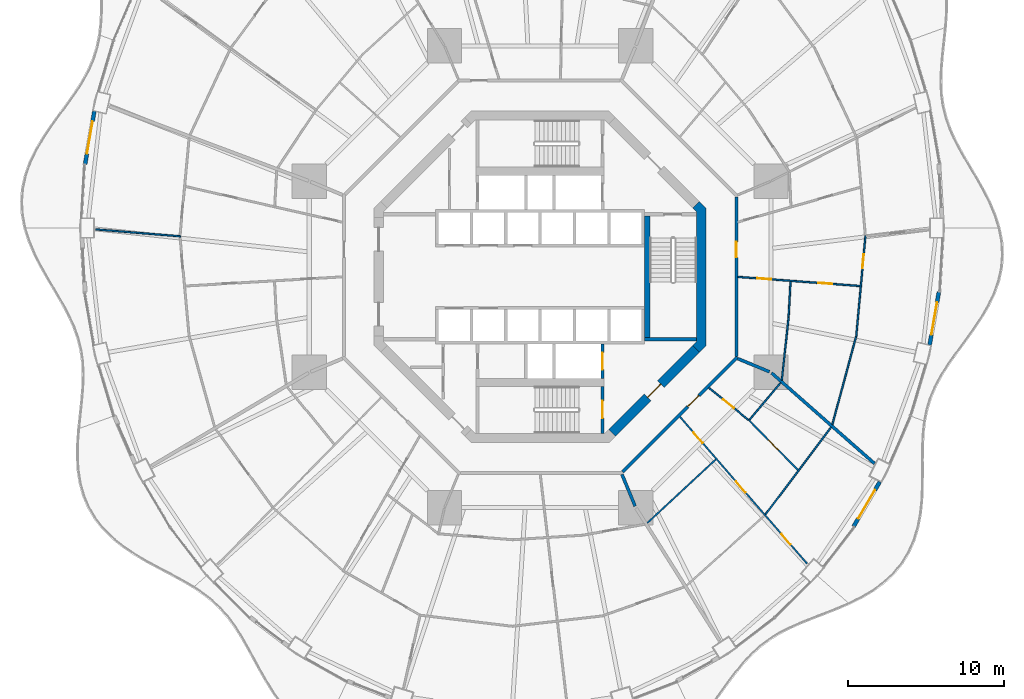
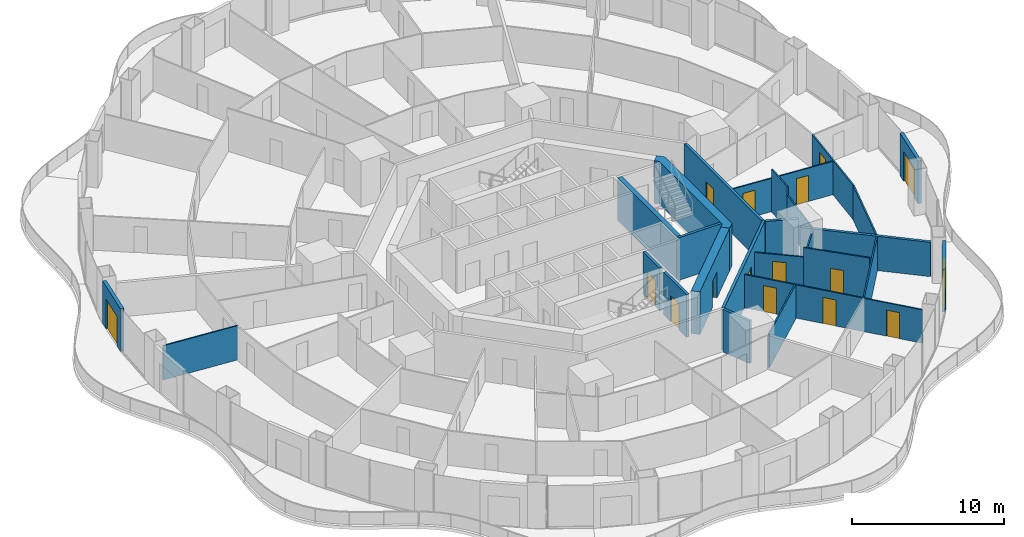
# One storey, part 16 of 22: 26 walls, 16 doors, 16 openings.
"""IFC4 building model written with IfcOpenShell, lengths in metres."""

from ifc_helpers import new_model, si_unit, direction, frame, frame_2d, origin, place, context, subcontext, project, spatial, polyline, rectangle, outline, extrude, material, layer, layer_set, type_object, element, fill, save


model = new_model("IFC4")

# Units and contexts
model_context = context("Model", 3, precision=1e-05, world=origin(), true_north=direction((0.0, 1.0)))
body_context = subcontext(model_context, "Body", "Model", "MODEL_VIEW")
ifc_project = project(units=[si_unit("LENGTHUNIT", "METRE"), si_unit("AREAUNIT", "SQUARE_METRE"), si_unit("VOLUMEUNIT", "CUBIC_METRE"), si_unit("PLANEANGLEUNIT", "RADIAN"), si_unit("MASSUNIT", "GRAM", prefix="KILO")], contexts=[model_context])

# Site, building, storey
site_placement = place(None, origin())
site = spatial("IfcSite", under=ifc_project, at=site_placement, CompositionType="ELEMENT")
building_placement = place(site_placement, origin())
building = spatial("IfcBuilding", under=site, at=building_placement, Name="Nagisa Residences", CompositionType="ELEMENT")
storey_placement = place(building_placement, frame((0.0, 0.0, 88.10009765625)))
storey = spatial("IfcBuildingStorey", under=building, at=storey_placement, Name="L21", CompositionType="ELEMENT", Elevation=88.10009765625)

# Walls
ifc_material_1 = material(Name="Gypsum board on steel studs", Category="steel")
ifc_layer_1 = layer(ifc_material_1, 0.199951171875)
ifc_layer_set_1 = layer_set([ifc_layer_1], Name="Apartment compartment wall EI60 200")
wall_type_1 = type_object("IfcWallType", Name="Apartment compartment wall EI60 200", PredefinedType="PARTITIONING", material=ifc_layer_set_1)
wall_1_placement = place(storey_placement, frame((5.24267578125, -12.6572265625, 0.0), z_axis=(0.0, 0.0, 1.0), x_axis=(0.382747093259, -0.923853160736, 0.0)))
element("IfcWall", 1, at=wall_1_placement, inside=storey, type_object=wall_type_1, Name="wall:L21:u06", PredefinedType="PARTITIONING", context=body_context, shape_type="SweptSolid", body=[
    extrude(rectangle(XDim=2.199951171875, YDim=0.199951171875, at=frame_2d((1.10009765625, 0.0))), origin(), (0.0, 0.0, 1.0), 3.43994140625),
])
wall_2_placement = place(storey_placement, frame((12.6572265625, -5.24267578125, 0.0), z_axis=(0.0, 0.0, 1.0), x_axis=(0.923876145736, -0.382691608661, 0.0)))
element("IfcWall", 2, at=wall_2_placement, inside=storey, type_object=wall_type_1, Name="wall:L21:u08", PredefinedType="PARTITIONING", context=body_context, shape_type="SweptSolid", body=[
    extrude(rectangle(XDim=2.19970703125, YDim=0.199951171875, at=frame_2d((1.099853515625, 0.0))), origin(), (0.0, 0.0, 1.0), 3.43994140625),
])
wall_3_placement = place(storey_placement, frame((14.819580078125, -6.156005859375, 0.0), z_axis=(0.0, 0.0, 1.0), x_axis=(0.750582231659, -0.660777052808, 0.0)))
element("IfcWall", 3, at=wall_3_placement, inside=storey, type_object=wall_type_1, Name="wall:L21:u09", PredefinedType="PARTITIONING", context=body_context, shape_type="SweptSolid", body=[
    extrude(rectangle(XDim=8.781005859375, YDim=0.199951171875, at=frame_2d((4.390625, 0.0))), origin(), (0.0, 0.0, 1.0), 2.761962890625),
])

# Wall, opening, door
ifc_material_2 = material(Name="Gypsum board on steel studs", Category="steel")
ifc_layer_2 = layer(ifc_material_2, 0.199951171875)
ifc_layer_set_2 = layer_set([ifc_layer_2], Name="Apartment entry wall EI60 200")
wall_type_2 = type_object("IfcWallType", Name="Apartment entry wall EI60 200", PredefinedType="PARTITIONING", material=ifc_layer_set_2)
wall_4_placement = place(storey_placement, frame((12.564697265625, -5.1044921875, 0.0), z_axis=(0.0, 0.0, 1.0), x_axis=(0.0, 1.0, 0.0)))
wall_4 = element("IfcWall", 4, at=wall_4_placement, inside=storey, type_object=wall_type_2, Name="wall:L21:u10", PredefinedType="PARTITIONING", context=body_context, shape_type="SweptSolid", body=[
    extrude(rectangle(XDim=10.208984375, YDim=0.199951171875, at=frame_2d((5.1044921875, 0.0))), origin(), (0.0, 0.0, 1.0), 3.43994140625),
])
opening_1_placement = place(wall_4_placement, frame((6.33935546875, 0.0, 0.0)))
opening_1 = element("IfcOpeningElement", 5, at=opening_1_placement, cuts=wall_4, Name="Opening L21-U44", PredefinedType="OPENING", context=body_context, shape_type="SweptSolid", body=[
    extrude(rectangle(XDim=1.0, YDim=2.10009765625, at=frame_2d((0.5, 1.050048828125))), frame((0.0, 0.10986328125, 0.0), z_axis=(0.0, -1.0, 0.0), x_axis=(1.0, 0.0, 0.0)), (0.0, 0.0, 1.0), 0.219970703125),
])
ifc_material_3 = material(Name="Timber fire door set", Category="wood")
door_type_1 = type_object("IfcDoorType", Name="Apartment entry door FD30S 1000x2100", OperationType="NOTDEFINED", PredefinedType="DOOR", material=ifc_material_3)
door_1_placement = place(opening_1_placement, frame((1.0, 0.0, 0.0), x_axis=(-1.0, 0.0, 0.0)))
door_1 = element("IfcDoor", 6, at=door_1_placement, inside=storey, type_object=door_type_1, Name="Entry door, Apartment 21E", OperationType="SINGLE_SWING_LEFT", OverallHeight=2.10009765625, OverallWidth=1.0, PredefinedType="DOOR", context=body_context, shape_type="SweptSolid", body=[
    extrude(rectangle(XDim=1.0, YDim=2.10009765625, at=frame_2d((0.5, 1.050048828125))), frame((0.0, 0.02490234375, 0.0), z_axis=(0.0, -1.0, 0.0), x_axis=(1.0, 0.0, 0.0)), (0.0, 0.0, 1.0), 0.050048828125),
])
fill(opening_1, door_1)

wall_5_placement = place(storey_placement, frame((5.275146484375, -12.494140625, 0.0), z_axis=(0.0, 0.0, 1.0), x_axis=(0.707106781187, 0.707106781187, 0.0)))
wall_5 = element("IfcWall", 7, at=wall_5_placement, inside=storey, type_object=wall_type_2, Name="wall:L21:u17", PredefinedType="PARTITIONING", context=body_context, shape_type="SweptSolid", body=[
    extrude(rectangle(XDim=10.4091796875, YDim=0.199951171875, at=frame_2d((5.20458984375, 0.0))), origin(), (0.0, 0.0, 1.0), 3.43994140625),
])
opening_2_placement = place(wall_5_placement, frame((5.905517578125, 0.0, 0.0)))
opening_2 = element("IfcOpeningElement", 8, at=opening_2_placement, cuts=wall_5, Name="Opening L21-U37", PredefinedType="OPENING", context=body_context, shape_type="SweptSolid", body=[
    extrude(rectangle(XDim=1.0, YDim=2.10009765625, at=frame_2d((0.5, 1.050048828125))), frame((0.0, 0.10986328125, 0.0), z_axis=(0.0, -1.0, 0.0), x_axis=(1.0, 0.0, 0.0)), (0.0, 0.0, 1.0), 0.219970703125),
])
door_2_placement = place(opening_2_placement, frame((1.0, 0.0, 0.0), x_axis=(-1.0, 0.0, 0.0)))
door_2 = element("IfcDoor", 9, at=door_2_placement, inside=storey, type_object=door_type_1, Name="Entry door, Apartment 21D", OperationType="SINGLE_SWING_RIGHT", OverallHeight=2.10009765625, OverallWidth=1.0, PredefinedType="DOOR", context=body_context, shape_type="SweptSolid", body=[
    extrude(rectangle(XDim=1.0, YDim=2.10009765625, at=frame_2d((0.5, 1.050048828125))), frame((0.0, 0.02490234375, 0.0), z_axis=(0.0, -1.0, 0.0), x_axis=(1.0, 0.0, 0.0)), (0.0, 0.0, 1.0), 0.050048828125),
])
fill(opening_2, door_2)

ifc_material_4 = material(Name="Gypsum board on steel studs", Category="steel")
ifc_layer_3 = layer(ifc_material_4, 0.10009765625)
ifc_layer_set_3 = layer_set([ifc_layer_3], Name="Apartment partition 100")
wall_type_3 = type_object("IfcWallType", Name="Apartment partition 100", PredefinedType="PARTITIONING", material=ifc_layer_set_3)
wall_6_placement = place(storey_placement, frame((20.833984375, 2.64208984375, 0.0), z_axis=(0.0, 0.0, 1.0), x_axis=(-0.091385407685, -0.995815599025, 0.0)))
wall_6 = element("IfcWall", 10, at=wall_6_placement, inside=storey, type_object=wall_type_3, Name="wall:L21:u20", PredefinedType="PARTITIONING", context=body_context, shape_type="SweptSolid", body=[
    extrude(rectangle(XDim=6.50244140625, YDim=0.10009765625, at=frame_2d((3.251220703125, 0.0))), origin(), (0.0, 0.0, 1.0), 2.761962890625),
])
opening_3_placement = place(wall_6_placement, frame((1.20068359375, 0.0, 0.0)))
opening_3 = element("IfcOpeningElement", 11, at=opening_3_placement, cuts=wall_6, Name="Opening L21-U49", PredefinedType="OPENING", context=body_context, shape_type="SweptSolid", body=[
    extrude(rectangle(XDim=0.89990234375, YDim=2.10009765625, at=frame_2d((0.449951171875, 1.050048828125))), frame((0.0, 0.06005859375, 0.0), z_axis=(0.0, -1.0, 0.0), x_axis=(1.0, 0.0, 0.0)), (0.0, 0.0, 1.0), 0.1201171875),
])
ifc_material_5 = material(Name="Timber door set", Category="wood")
door_type_2 = type_object("IfcDoorType", Name="Apartment door 900x2100", OperationType="NOTDEFINED", PredefinedType="DOOR", material=ifc_material_5)
door_3_placement = place(opening_3_placement, origin())
door_3 = element("IfcDoor", 12, at=door_3_placement, inside=storey, type_object=door_type_2, Name="Door to family room, Apartment 21E", OperationType="SINGLE_SWING_LEFT", OverallHeight=2.10009765625, OverallWidth=0.89990234375, PredefinedType="DOOR", context=body_context, shape_type="SweptSolid", body=[
    extrude(rectangle(XDim=0.89990234375, YDim=2.10009765625, at=frame_2d((0.449951171875, 1.050048828125))), frame((0.0, 0.02490234375, 0.0), z_axis=(0.0, -1.0, 0.0), x_axis=(1.0, 0.0, 0.0)), (0.0, 0.0, 1.0), 0.050048828125),
])
fill(opening_3, door_3)

# Walls
wall_7_placement = place(storey_placement, frame((-23.01171875, 2.588134765625, 0.0), z_axis=(0.0, 0.0, 1.0), x_axis=(-0.996680765347, 0.081409164031, 0.0)))
element("IfcWall", 13, at=wall_7_placement, inside=storey, type_object=wall_type_3, Name="wall:L21:u59", PredefinedType="PARTITIONING", context=body_context, shape_type="SweptSolid", body=[
    extrude(rectangle(XDim=5.4580078125, YDim=0.10009765625, at=frame_2d((2.72900390625, 0.0))), origin(), (0.0, 0.0, 1.0), 2.761962890625),
])
wall_8_placement = place(storey_placement, frame((6.861083984375, -15.768310546875, 0.0), z_axis=(0.0, 0.0, 1.0), x_axis=(0.733011256509, 0.680216508056, 0.0)))
element("IfcWall", 14, at=wall_8_placement, inside=storey, type_object=wall_type_3, Name="wall:L21:u83", PredefinedType="PARTITIONING", context=body_context, shape_type="SweptSolid", body=[
    extrude(rectangle(XDim=5.988525390625, YDim=0.10009765625, at=frame_2d((2.994140625, 0.0))), origin(), (0.0, 0.0, 1.0), 2.761962890625),
])

# Wall, openings, doors
wall_9_placement = place(storey_placement, frame((8.949951171875, -8.960205078125, 0.0), z_axis=(0.0, 0.0, 1.0), x_axis=(0.65441081073, -0.756139200676, 0.0)))
wall_9 = element("IfcWall", 15, at=wall_9_placement, inside=storey, type_object=wall_type_3, Name="wall:L21:u85", PredefinedType="PARTITIONING", context=body_context, shape_type="SweptSolid", body=[
    extrude(rectangle(XDim=12.450927734375, YDim=0.10009765625, at=frame_2d((6.2255859375, 0.0))), origin(), (0.0, 0.0, 1.0), 2.68701171875),
])
opening_4_placement = place(wall_9_placement, frame((1.335693359375, 0.0, 0.0)))
opening_4 = element("IfcOpeningElement", 16, at=opening_4_placement, cuts=wall_9, Name="Opening L21-U38", PredefinedType="OPENING", context=body_context, shape_type="SweptSolid", body=[
    extrude(rectangle(XDim=0.89990234375, YDim=2.10009765625, at=frame_2d((0.449951171875, 1.050048828125))), frame((0.0, 0.06005859375, 0.0), z_axis=(0.0, -1.0, 0.0), x_axis=(1.0, 0.0, 0.0)), (0.0, 0.0, 1.0), 0.1201171875),
])
opening_5_placement = place(wall_9_placement, frame((5.501220703125, 0.0, 0.0)))
opening_5 = element("IfcOpeningElement", 17, at=opening_5_placement, cuts=wall_9, Name="Opening L21-U40", PredefinedType="OPENING", context=body_context, shape_type="SweptSolid", body=[
    extrude(rectangle(XDim=0.89990234375, YDim=2.10009765625, at=frame_2d((0.449951171875, 1.050048828125))), frame((0.0, 0.06005859375, 0.0), z_axis=(0.0, -1.0, 0.0), x_axis=(1.0, 0.0, 0.0)), (0.0, 0.0, 1.0), 0.1201171875),
])
opening_6_placement = place(wall_9_placement, frame((9.940673828125, 0.0, 0.0)))
opening_6 = element("IfcOpeningElement", 18, at=opening_6_placement, cuts=wall_9, Name="Opening L21-U43", PredefinedType="OPENING", context=body_context, shape_type="SweptSolid", body=[
    extrude(rectangle(XDim=0.89990234375, YDim=2.10009765625, at=frame_2d((0.449951171875, 1.050048828125))), frame((0.0, 0.06005859375, 0.0), z_axis=(0.0, -1.0, 0.0), x_axis=(1.0, 0.0, 0.0)), (0.0, 0.0, 1.0), 0.1201171875),
])
door_4_placement = place(opening_4_placement, frame((0.89990234375, 0.0, 0.0), x_axis=(-1.0, 0.0, 0.0)))
door_4 = element("IfcDoor", 19, at=door_4_placement, inside=storey, type_object=door_type_2, Name="Door to store, Apartment 21D", OperationType="SINGLE_SWING_LEFT", OverallHeight=2.10009765625, OverallWidth=0.89990234375, PredefinedType="DOOR", context=body_context, shape_type="SweptSolid", body=[
    extrude(rectangle(XDim=0.89990234375, YDim=2.10009765625, at=frame_2d((0.449951171875, 1.050048828125))), frame((0.0, 0.02490234375, 0.0), z_axis=(0.0, -1.0, 0.0), x_axis=(1.0, 0.0, 0.0)), (0.0, 0.0, 1.0), 0.050048828125),
])
fill(opening_4, door_4)
door_5_placement = place(opening_5_placement, frame((0.89990234375, 0.0, 0.0), x_axis=(-1.0, 0.0, 0.0)))
door_5 = element("IfcDoor", 20, at=door_5_placement, inside=storey, type_object=door_type_2, Name="Door to kitchen, Apartment 21D", OperationType="SINGLE_SWING_LEFT", OverallHeight=2.10009765625, OverallWidth=0.89990234375, PredefinedType="DOOR", context=body_context, shape_type="SweptSolid", body=[
    extrude(rectangle(XDim=0.89990234375, YDim=2.10009765625, at=frame_2d((0.449951171875, 1.050048828125))), frame((0.0, 0.02490234375, 0.0), z_axis=(0.0, -1.0, 0.0), x_axis=(1.0, 0.0, 0.0)), (0.0, 0.0, 1.0), 0.050048828125),
])
fill(opening_5, door_5)
door_6_placement = place(opening_6_placement, origin())
door_6 = element("IfcDoor", 21, at=door_6_placement, inside=storey, type_object=door_type_2, Name="Door to bedroom, Apartment 21D", OperationType="SINGLE_SWING_LEFT", OverallHeight=2.10009765625, OverallWidth=0.89990234375, PredefinedType="DOOR", context=body_context, shape_type="SweptSolid", body=[
    extrude(rectangle(XDim=0.89990234375, YDim=2.10009765625, at=frame_2d((0.449951171875, 1.050048828125))), frame((0.0, 0.02490234375, 0.0), z_axis=(0.0, -1.0, 0.0), x_axis=(1.0, 0.0, 0.0)), (0.0, 0.0, 1.0), 0.050048828125),
])
fill(opening_6, door_6)

# Wall
wall_10_placement = place(storey_placement, frame((14.431884765625, -15.219482421875, 0.0), z_axis=(0.0, 0.0, 1.0), x_axis=(0.601001256685, 0.799248077548, 0.0)))
element("IfcWall", 22, at=wall_10_placement, inside=storey, type_object=wall_type_3, Name="wall:L21:u86", PredefinedType="PARTITIONING", context=body_context, shape_type="SweptSolid", body=[
    extrude(rectangle(XDim=6.980224609375, YDim=0.10009765625, at=frame_2d((3.490234375, 0.0))), origin(), (0.0, 0.0, 1.0), 2.761962890625),
])

# Wall, opening, door
wall_11_placement = place(storey_placement, frame((10.802490234375, -7.107421875, 0.0), z_axis=(0.0, 0.0, 1.0), x_axis=(0.776992142502, -0.62951029419, 0.0)))
wall_11 = element("IfcWall", 23, at=wall_11_placement, inside=storey, type_object=wall_type_3, Name="wall:L21:u87", PredefinedType="PARTITIONING", context=body_context, shape_type="SweptSolid", body=[
    extrude(rectangle(XDim=3.2626953125, YDim=0.10009765625, at=frame_2d((1.63134765625, 0.0))), origin(), (0.0, 0.0, 1.0), 2.68701171875),
])
opening_7_placement = place(wall_11_placement, frame((1.181396484375, 0.0, 0.0)))
opening_7 = element("IfcOpeningElement", 24, at=opening_7_placement, cuts=wall_11, Name="Opening L21-U39", PredefinedType="OPENING", context=body_context, shape_type="SweptSolid", body=[
    extrude(rectangle(XDim=0.89990234375, YDim=2.10009765625, at=frame_2d((0.449951171875, 1.050048828125))), frame((0.0, 0.06005859375, 0.0), z_axis=(0.0, -1.0, 0.0), x_axis=(1.0, 0.0, 0.0)), (0.0, 0.0, 1.0), 0.1201171875),
])
door_7_placement = place(opening_7_placement, origin())
door_7 = element("IfcDoor", 25, at=door_7_placement, inside=storey, type_object=door_type_2, Name="Door to family bathroom, Apartment 21D", OperationType="SINGLE_SWING_LEFT", OverallHeight=2.10009765625, OverallWidth=0.89990234375, PredefinedType="DOOR", context=body_context, shape_type="SweptSolid", body=[
    extrude(rectangle(XDim=0.89990234375, YDim=2.10009765625, at=frame_2d((0.449951171875, 1.050048828125))), frame((0.0, 0.02490234375, 0.0), z_axis=(0.0, -1.0, 0.0), x_axis=(1.0, 0.0, 0.0)), (0.0, 0.0, 1.0), 0.050048828125),
])
fill(opening_7, door_7)

wall_12_placement = place(storey_placement, frame((13.34130859375, -9.1572265625, 0.0), z_axis=(0.0, 0.0, 1.0), x_axis=(0.701624526877, -0.712546856904, 0.0)))
wall_12 = element("IfcWall", 26, at=wall_12_placement, inside=storey, type_object=wall_type_3, Name="wall:L21:u88", PredefinedType="PARTITIONING", context=body_context, shape_type="SweptSolid", body=[
    extrude(rectangle(XDim=4.51513671875, YDim=0.10009765625, at=frame_2d((2.257568359375, 0.0))), origin(), (0.0, 0.0, 1.0), 3.43994140625),
])
opening_8_placement = place(wall_12_placement, frame((1.83251953125, 0.0, 0.0)))
opening_8 = element("IfcOpeningElement", 27, at=opening_8_placement, cuts=wall_12, Name="Opening L21-U41", PredefinedType="OPENING", context=body_context, shape_type="SweptSolid", body=[
    extrude(rectangle(XDim=0.89990234375, YDim=2.10009765625, at=frame_2d((0.449951171875, 1.050048828125))), frame((0.0, 0.06005859375, 0.0), z_axis=(0.0, -1.0, 0.0), x_axis=(1.0, 0.0, 0.0)), (0.0, 0.0, 1.0), 0.1201171875),
])
door_8_placement = place(opening_8_placement, origin())
door_8 = element("IfcDoor", 28, at=door_8_placement, inside=storey, type_object=door_type_2, Name="Door to family bathroom, Apartment 21D", OperationType="SINGLE_SWING_LEFT", OverallHeight=2.10009765625, OverallWidth=0.89990234375, PredefinedType="DOOR", context=body_context, shape_type="SweptSolid", body=[
    extrude(rectangle(XDim=0.89990234375, YDim=2.10009765625, at=frame_2d((0.449951171875, 1.050048828125))), frame((0.0, 0.02490234375, 0.0), z_axis=(0.0, -1.0, 0.0), x_axis=(1.0, 0.0, 0.0)), (0.0, 0.0, 1.0), 0.050048828125),
])
fill(opening_8, door_8)

# Walls
wall_13_placement = place(storey_placement, frame((13.40869140625, -9.154541015625, 0.0), z_axis=(0.0, 0.0, 1.0), x_axis=(0.646130325831, 0.763227097293, 0.0)))
element("IfcWall", 29, at=wall_13_placement, inside=storey, type_object=wall_type_3, Name="wall:L21:u89", PredefinedType="PARTITIONING", context=body_context, shape_type="SweptSolid", body=[
    extrude(rectangle(XDim=3.083740234375, YDim=0.10009765625, at=frame_2d((1.5419921875, 0.0))), origin(), (0.0, 0.0, 1.0), 2.761962890625),
])
wall_14_placement = place(storey_placement, frame((15.4765625, -6.62548828125, 0.0), z_axis=(0.0, 0.0, 1.0), x_axis=(0.107561928907, 0.994198386365, 0.0)))
element("IfcWall", 30, at=wall_14_placement, inside=storey, type_object=wall_type_3, Name="wall:L21:u90", PredefinedType="PARTITIONING", context=body_context, shape_type="SweptSolid", body=[
    extrude(rectangle(XDim=4.072021484375, YDim=0.10009765625, at=frame_2d((2.0361328125, 0.0))), origin(), (0.0, 0.0, 1.0), 2.761962890625),
])
wall_15_placement = place(storey_placement, frame((18.713134765625, -9.464111328125, 0.0), z_axis=(0.0, 0.0, 1.0), x_axis=(0.260279646259, 0.965533275316, 0.0)))
element("IfcWall", 31, at=wall_15_placement, inside=storey, type_object=wall_type_3, Name="wall:L21:u91", PredefinedType="PARTITIONING", context=body_context, shape_type="SweptSolid", body=[
    extrude(rectangle(XDim=5.83349609375, YDim=0.10009765625, at=frame_2d((2.916748046875, 0.0))), origin(), (0.0, 0.0, 1.0), 2.761962890625),
])
wall_16_placement = place(storey_placement, frame((15.911865234375, -2.5771484375, 0.0), z_axis=(0.0, 0.0, 1.0), x_axis=(0.053749298185, 0.998554461682, 0.0)))
element("IfcWall", 32, at=wall_16_placement, inside=storey, type_object=wall_type_3, Name="wall:L21:u92", PredefinedType="PARTITIONING", context=body_context, shape_type="SweptSolid", body=[
    extrude(rectangle(XDim=2.27099609375, YDim=0.10009765625, at=frame_2d((1.135498046875, 0.0))), origin(), (0.0, 0.0, 1.0), 3.43994140625),
])

# Wall, openings, doors
wall_17_placement = place(storey_placement, frame((12.66455078125, -0.007568359375, 0.0), z_axis=(0.0, 0.0, 1.0), x_axis=(0.997222647159, -0.074478130978, 0.0)))
wall_17 = element("IfcWall", 33, at=wall_17_placement, inside=storey, type_object=wall_type_3, Name="wall:L21:u93", PredefinedType="PARTITIONING", context=body_context, shape_type="SweptSolid", body=[
    extrude(rectangle(XDim=7.84423828125, YDim=0.10009765625, at=frame_2d((3.922119140625, 0.0))), origin(), (0.0, 0.0, 1.0), 2.68701171875),
])
opening_9_placement = place(wall_17_placement, frame((1.24072265625, 0.0, 0.0)))
opening_9 = element("IfcOpeningElement", 34, at=opening_9_placement, cuts=wall_17, Name="Opening L21-U45", PredefinedType="OPENING", context=body_context, shape_type="SweptSolid", body=[
    extrude(rectangle(XDim=0.89990234375, YDim=2.10009765625, at=frame_2d((0.449951171875, 1.050048828125))), frame((0.0, 0.06005859375, 0.0), z_axis=(0.0, -1.0, 0.0), x_axis=(1.0, 0.0, 0.0)), (0.0, 0.0, 1.0), 0.1201171875),
])
opening_10_placement = place(wall_17_placement, frame((5.162841796875, 0.0, 0.0)))
opening_10 = element("IfcOpeningElement", 35, at=opening_10_placement, cuts=wall_17, Name="Opening L21-U47", PredefinedType="OPENING", context=body_context, shape_type="SweptSolid", body=[
    extrude(rectangle(XDim=0.89990234375, YDim=2.10009765625, at=frame_2d((0.449951171875, 1.050048828125))), frame((0.0, 0.06005859375, 0.0), z_axis=(0.0, -1.0, 0.0), x_axis=(1.0, 0.0, 0.0)), (0.0, 0.0, 1.0), 0.1201171875),
])
door_9_placement = place(opening_9_placement, frame((0.89990234375, 0.0, 0.0), x_axis=(-1.0, 0.0, 0.0)))
door_9 = element("IfcDoor", 36, at=door_9_placement, inside=storey, type_object=door_type_2, Name="Door to store, Apartment 21E", OperationType="SINGLE_SWING_RIGHT", OverallHeight=2.10009765625, OverallWidth=0.89990234375, PredefinedType="DOOR", context=body_context, shape_type="SweptSolid", body=[
    extrude(rectangle(XDim=0.89990234375, YDim=2.10009765625, at=frame_2d((0.449951171875, 1.050048828125))), frame((0.0, 0.02490234375, 0.0), z_axis=(0.0, -1.0, 0.0), x_axis=(1.0, 0.0, 0.0)), (0.0, 0.0, 1.0), 0.050048828125),
])
fill(opening_9, door_9)
door_10_placement = place(opening_10_placement, frame((0.89990234375, 0.0, 0.0), x_axis=(-1.0, 0.0, 0.0)))
door_10 = element("IfcDoor", 37, at=door_10_placement, inside=storey, type_object=door_type_2, Name="Door to family room, Apartment 21E", OperationType="SINGLE_SWING_RIGHT", OverallHeight=2.10009765625, OverallWidth=0.89990234375, PredefinedType="DOOR", context=body_context, shape_type="SweptSolid", body=[
    extrude(rectangle(XDim=0.89990234375, YDim=2.10009765625, at=frame_2d((0.449951171875, 1.050048828125))), frame((0.0, 0.02490234375, 0.0), z_axis=(0.0, -1.0, 0.0), x_axis=(1.0, 0.0, 0.0)), (0.0, 0.0, 1.0), 0.050048828125),
])
fill(opening_10, door_10)

# Wall, opening, door
ifc_material_6 = material(Name="Precast concrete C40/50", Category="concrete")
ifc_layer_4 = layer(ifc_material_6, 0.25)
ifc_layer_set_4 = layer_set([ifc_layer_4], Name="BALCONY DOOR WALL 250")
wall_type_4 = type_object("IfcWallType", Name="BALCONY DOOR WALL 250", PredefinedType="SOLIDWALL", material=ifc_layer_set_4)
wall_18_placement = place(storey_placement, frame((-29.135009765625, 7.209716796875, 0.0), z_axis=(0.0, 0.0, 1.0), x_axis=(0.17223289558, 0.985056257114, 0.0)))
wall_18 = element("IfcWall", 38, at=wall_18_placement, inside=storey, type_object=wall_type_4, Name="wall:L21:bay22", PredefinedType="SOLIDWALL", context=body_context, shape_type="SweptSolid", body=[
    extrude(rectangle(XDim=3.454345703125, YDim=0.25, at=frame_2d((1.72705078125, 0.0))), origin(), (0.0, 0.0, 1.0), 3.43994140625),
])
opening_11_placement = place(wall_18_placement, frame((0.67724609375, 0.0, 0.0)))
opening_11 = element("IfcOpeningElement", 39, at=opening_11_placement, cuts=wall_18, Name="Opening BD-L21-08", PredefinedType="OPENING", context=body_context, shape_type="SweptSolid", body=[
    extrude(rectangle(XDim=2.10009765625, YDim=2.39990234375, at=frame_2d((1.050048828125, 1.199951171875))), frame((0.0, 0.135009765625, 0.0), z_axis=(0.0, -1.0, 0.0), x_axis=(1.0, 0.0, 0.0)), (0.0, 0.0, 1.0), 0.27001953125),
])
ifc_material_7 = material(Name="Aluminium and clear glass", Category="aluminium")
door_type_3 = type_object("IfcDoorType", Name="BALCONY SLIDING DOOR 2100x2400", OperationType="SLIDING_TO_LEFT", PredefinedType="DOOR", material=ifc_material_7)
door_11_placement = place(opening_11_placement, origin())
door_11 = element("IfcDoor", 40, at=door_11_placement, inside=storey, type_object=door_type_3, Name="door:L21:bay22", OperationType="SLIDING_TO_LEFT", OverallHeight=2.39990234375, OverallWidth=2.10009765625, PredefinedType="DOOR", context=body_context, shape_type="SweptSolid", body=[
    extrude(rectangle(XDim=2.10009765625, YDim=2.39990234375, at=frame_2d((1.050048828125, 1.199951171875))), frame((0.0, 0.02490234375, 0.0), z_axis=(0.0, -1.0, 0.0), x_axis=(1.0, 0.0, 0.0)), (0.0, 0.0, 1.0), 0.050048828125),
])
fill(opening_11, door_11)

wall_19_placement = place(storey_placement, frame((21.74755859375, -13.136962890625, 0.0), z_axis=(0.0, 0.0, 1.0), x_axis=(-0.506297921217, -0.862358634775, 0.0)))
wall_19 = element("IfcWall", 41, at=wall_19_placement, inside=storey, type_object=wall_type_4, Name="wall:L21:bay43", PredefinedType="SOLIDWALL", context=body_context, shape_type="SweptSolid", body=[
    extrude(rectangle(XDim=3.32470703125, YDim=0.25, at=frame_2d((1.662353515625, 0.0))), origin(), (0.0, 0.0, 1.0), 3.43994140625),
])
opening_12_placement = place(wall_19_placement, frame((0.6123046875, 0.0, 0.0)))
opening_12 = element("IfcOpeningElement", 42, at=opening_12_placement, cuts=wall_19, Name="Opening BD-L21-15", PredefinedType="OPENING", context=body_context, shape_type="SweptSolid", body=[
    extrude(rectangle(XDim=2.10009765625, YDim=2.39990234375, at=frame_2d((1.050048828125, 1.199951171875))), frame((0.0, 0.135009765625, 0.0), z_axis=(0.0, -1.0, 0.0), x_axis=(1.0, 0.0, 0.0)), (0.0, 0.0, 1.0), 0.27001953125),
])
door_12_placement = place(opening_12_placement, origin())
door_12 = element("IfcDoor", 43, at=door_12_placement, inside=storey, type_object=door_type_3, Name="door:L21:bay43", OperationType="SLIDING_TO_LEFT", OverallHeight=2.39990234375, OverallWidth=2.10009765625, PredefinedType="DOOR", context=body_context, shape_type="SweptSolid", body=[
    extrude(rectangle(XDim=2.10009765625, YDim=2.39990234375, at=frame_2d((1.050048828125, 1.199951171875))), frame((0.0, 0.02490234375, 0.0), z_axis=(0.0, -1.0, 0.0), x_axis=(1.0, 0.0, 0.0)), (0.0, 0.0, 1.0), 0.050048828125),
])
fill(opening_12, door_12)

wall_20_placement = place(storey_placement, frame((25.534912109375, -0.974365234375, 0.0), z_axis=(0.0, 0.0, 1.0), x_axis=(-0.172164316671, -0.985068245385, 0.0)))
wall_20 = element("IfcWall", 44, at=wall_20_placement, inside=storey, type_object=wall_type_4, Name="wall:L21:bay46", PredefinedType="SOLIDWALL", context=body_context, shape_type="SweptSolid", body=[
    extrude(rectangle(XDim=3.454345703125, YDim=0.25, at=frame_2d((1.72705078125, 0.0))), origin(), (0.0, 0.0, 1.0), 3.43994140625),
])
opening_13_placement = place(wall_20_placement, frame((0.67724609375, 0.0, 0.0)))
opening_13 = element("IfcOpeningElement", 45, at=opening_13_placement, cuts=wall_20, Name="Opening BD-L21-16", PredefinedType="OPENING", context=body_context, shape_type="SweptSolid", body=[
    extrude(rectangle(XDim=2.10009765625, YDim=2.39990234375, at=frame_2d((1.050048828125, 1.199951171875))), frame((0.0, 0.135009765625, 0.0), z_axis=(0.0, -1.0, 0.0), x_axis=(1.0, 0.0, 0.0)), (0.0, 0.0, 1.0), 0.27001953125),
])
door_13_placement = place(opening_13_placement, origin())
door_13 = element("IfcDoor", 46, at=door_13_placement, inside=storey, type_object=door_type_3, Name="door:L21:bay46", OperationType="SLIDING_TO_LEFT", OverallHeight=2.39990234375, OverallWidth=2.10009765625, PredefinedType="DOOR", context=body_context, shape_type="SweptSolid", body=[
    extrude(rectangle(XDim=2.10009765625, YDim=2.39990234375, at=frame_2d((1.050048828125, 1.199951171875))), frame((0.0, 0.02490234375, 0.0), z_axis=(0.0, -1.0, 0.0), x_axis=(1.0, 0.0, 0.0)), (0.0, 0.0, 1.0), 0.050048828125),
])
fill(opening_13, door_13)

ifc_material_8 = material(Name="Concrete C60", Category="concrete")
ifc_layer_5 = layer(ifc_material_8, 0.60009765625)
ifc_layer_set_5 = layer_set([ifc_layer_5], Name="Core shear wall 600")
wall_type_5 = type_object("IfcWallType", Name="Core shear wall 600", PredefinedType="SHEAR", material=ifc_layer_set_5)
wall_21_placement = place(storey_placement, frame((4.613037109375, -9.98828125, 0.0), z_axis=(0.0, 0.0, 1.0), x_axis=(0.707106781187, 0.707106781187, 0.0)))
wall_21 = element("IfcWall", 47, at=wall_21_placement, inside=storey, type_object=wall_type_5, Name="wall:L21:core:flat7", PredefinedType="SHEAR", context=body_context, shape_type="SweptSolid", body=[
    extrude(rectangle(XDim=7.601806640625, YDim=0.60009765625, at=frame_2d((3.80078125, 0.0))), origin(), (0.0, 0.0, 1.0), 3.43994140625),
])
opening_14_placement = place(wall_21_placement, frame((3.200927734375, 0.0, 0.0)))
opening_14 = element("IfcOpeningElement", 48, at=opening_14_placement, cuts=wall_21, Name="Opening L21-C17", PredefinedType="OPENING", context=body_context, shape_type="SweptSolid", body=[
    extrude(rectangle(XDim=1.199951171875, YDim=2.10009765625, at=frame_2d((0.60009765625, 1.050048828125))), frame((0.0, 0.31005859375, 0.0), z_axis=(0.0, -1.0, 0.0), x_axis=(1.0, 0.0, 0.0)), (0.0, 0.0, 1.0), 0.6201171875),
])
ifc_material_9 = material(Name="Steel fire door", Category="steel")
door_type_4 = type_object("IfcDoorType", Name="Fire door EI60 1200x2100 single swing", OperationType="NOTDEFINED", PredefinedType="DOOR", material=ifc_material_9)
door_14_placement = place(opening_14_placement, origin())
door_14 = element("IfcDoor", 49, at=door_14_placement, inside=storey, type_object=door_type_4, Name="Firefighting lobby 2 door L21", OperationType="SINGLE_SWING_LEFT", OverallHeight=2.10009765625, OverallWidth=1.199951171875, PredefinedType="DOOR", context=body_context, shape_type="SweptSolid", body=[
    extrude(rectangle(XDim=1.199951171875, YDim=2.10009765625, at=frame_2d((0.60009765625, 1.050048828125))), frame((0.0, 0.02490234375, 0.0), z_axis=(0.0, -1.0, 0.0), x_axis=(1.0, 0.0, 0.0)), (0.0, 0.0, 1.0), 0.050048828125),
])
fill(opening_14, door_14)

# Wall
wall_22_placement = place(storey_placement, origin())
element("IfcWall", 50, at=wall_22_placement, inside=storey, type_object=wall_type_5, Name="wall:L21:core:flat0", PredefinedType="SHEAR", context=body_context, shape_type="SweptSolid", body=[
    extrude(outline(polyline([(9.776123046875, -4.40087890625), (10.024658203125, -4.15234375), (10.024658203125, -3.801025390625), (10.024658203125, 4.15234375), (9.776123046875, 4.40087890625), (10.200439453125, 4.8251953125), (10.62451171875, 4.40087890625), (10.62451171875, -4.40087890625), (10.200439453125, -4.8251953125), (9.776123046875, -4.40087890625)])), origin(), (0.0, 0.0, 1.0), 3.43994140625),
])

# Wall, opening, door
ifc_material_10 = material(Name="Concrete C60", Category="concrete")
ifc_layer_6 = layer(ifc_material_10, 0.199951171875)
ifc_layer_set_6 = layer_set([ifc_layer_6], Name="Lift shaft wall 200")
wall_type_6 = type_object("IfcWallType", Name="Lift shaft wall 200", PredefinedType="SOLIDWALL", material=ifc_layer_set_6)
wall_23_placement = place(storey_placement, frame((4.0, -6.5, 0.0), z_axis=(0.0, 0.0, 1.0), x_axis=(0.0, 1.0, 0.0)))
wall_23 = element("IfcWall", 51, at=wall_23_placement, inside=storey, type_object=wall_type_6, Name="wall:L21:Sb3", PredefinedType="SOLIDWALL", context=body_context, shape_type="SweptSolid", body=[
    extrude(rectangle(XDim=2.199951171875, YDim=0.199951171875, at=frame_2d((1.10009765625, 0.0))), origin(), (0.0, 0.0, 1.0), 3.43994140625),
])
opening_15_placement = place(wall_23_placement, frame((0.550048828125, 0.0, 0.0)))
opening_15 = element("IfcOpeningElement", 52, at=opening_15_placement, cuts=wall_23, Name="Opening L21-C07", PredefinedType="OPENING", context=body_context, shape_type="SweptSolid", body=[
    extrude(rectangle(XDim=1.10009765625, YDim=2.10009765625, at=frame_2d((0.550048828125, 1.050048828125))), frame((0.0, 0.10986328125, 0.0), z_axis=(0.0, -1.0, 0.0), x_axis=(1.0, 0.0, 0.0)), (0.0, 0.0, 1.0), 0.219970703125),
])
ifc_material_11 = material(Name="Stainless steel", Category="steel")
door_type_5 = type_object("IfcDoorType", Name="Lift landing door 1100x2100", OperationType="DOUBLE_DOOR_SLIDING", PredefinedType="DOOR", material=ifc_material_11)
door_15_placement = place(opening_15_placement, origin())
door_15 = element("IfcDoor", 53, at=door_15_placement, inside=storey, type_object=door_type_5, Name="Landing door FL2 L21", OperationType="DOUBLE_DOOR_SLIDING", OverallHeight=2.10009765625, OverallWidth=1.10009765625, PredefinedType="DOOR", context=body_context, shape_type="SweptSolid", body=[
    extrude(rectangle(XDim=1.10009765625, YDim=2.10009765625, at=frame_2d((0.550048828125, 1.050048828125))), frame((0.0, 0.02490234375, 0.0), z_axis=(0.0, -1.0, 0.0), x_axis=(1.0, 0.0, 0.0)), (0.0, 0.0, 1.0), 0.050048828125),
])
fill(opening_15, door_15)

ifc_material_12 = material(Name="Concrete C60", Category="concrete")
ifc_layer_7 = layer(ifc_material_12, 0.199951171875)
ifc_layer_set_7 = layer_set([ifc_layer_7], Name="Stair enclosure wall 200")
wall_type_7 = type_object("IfcWallType", Name="Stair enclosure wall 200", PredefinedType="SOLIDWALL", material=ifc_layer_set_7)
wall_24_placement = place(storey_placement, frame((4.0, -10.024658203125, 0.0), z_axis=(0.0, 0.0, 1.0), x_axis=(0.0, 1.0, 0.0)))
wall_24 = element("IfcWall", 54, at=wall_24_placement, inside=storey, type_object=wall_type_7, Name="wall:L21:SS_e", PredefinedType="SOLIDWALL", context=body_context, shape_type="SweptSolid", body=[
    extrude(rectangle(XDim=3.0, YDim=0.199951171875, at=frame_2d((1.5, 0.0))), origin(), (0.0, 0.0, 1.0), 3.43994140625),
])
opening_16_placement = place(wall_24_placement, frame((0.974609375, 0.0, 0.0)))
opening_16 = element("IfcOpeningElement", 55, at=opening_16_placement, cuts=wall_24, Name="Opening L21-C11", PredefinedType="OPENING", context=body_context, shape_type="SweptSolid", body=[
    extrude(rectangle(XDim=1.10009765625, YDim=2.10009765625, at=frame_2d((0.550048828125, 1.050048828125))), frame((0.0, 0.10986328125, 0.0), z_axis=(0.0, -1.0, 0.0), x_axis=(1.0, 0.0, 0.0)), (0.0, 0.0, 1.0), 0.219970703125),
])
ifc_material_13 = material(Name="Steel fire door", Category="steel")
door_type_6 = type_object("IfcDoorType", Name="Fire door EI90 1100x2100 single swing", OperationType="NOTDEFINED", PredefinedType="DOOR", material=ifc_material_13)
door_16_placement = place(opening_16_placement, origin())
door_16 = element("IfcDoor", 56, at=door_16_placement, inside=storey, type_object=door_type_6, Name="Stair door ST-S L21", OperationType="SINGLE_SWING_RIGHT", OverallHeight=2.10009765625, OverallWidth=1.10009765625, PredefinedType="DOOR", context=body_context, shape_type="SweptSolid", body=[
    extrude(rectangle(XDim=1.10009765625, YDim=2.10009765625, at=frame_2d((0.550048828125, 1.050048828125))), frame((0.0, 0.02490234375, 0.0), z_axis=(0.0, -1.0, 0.0), x_axis=(1.0, 0.0, 0.0)), (0.0, 0.0, 1.0), 0.050048828125),
])
fill(opening_16, door_16)

# Walls
wall_25_placement = place(storey_placement, origin())
element("IfcWall", 57, at=wall_25_placement, inside=storey, type_object=wall_type_7, Name="wall:L21:SE_w", PredefinedType="SOLIDWALL", context=body_context, shape_type="SweptSolid", body=[
    extrude(outline(polyline([(7.024658203125, -3.89990234375), (6.699951171875, -3.89990234375), (6.699951171875, 3.89990234375), (7.024658203125, 3.89990234375), (7.024658203125, -3.89990234375)])), origin(), (0.0, 0.0, 1.0), 3.43994140625),
])
wall_26_placement = place(storey_placement, origin())
element("IfcWall", 58, at=wall_26_placement, inside=storey, type_object=wall_type_7, Name="wall:L21:SE_s", PredefinedType="SOLIDWALL", context=body_context, shape_type="SweptSolid", body=[
    extrude(outline(polyline([(10.024658203125, -4.10009765625), (6.699951171875, -4.10009765625), (6.699951171875, -3.89990234375), (10.024658203125, -3.89990234375), (10.024658203125, -4.10009765625)])), origin(), (0.0, 0.0, 1.0), 3.43994140625),
])

save(model, "model.ifc")
